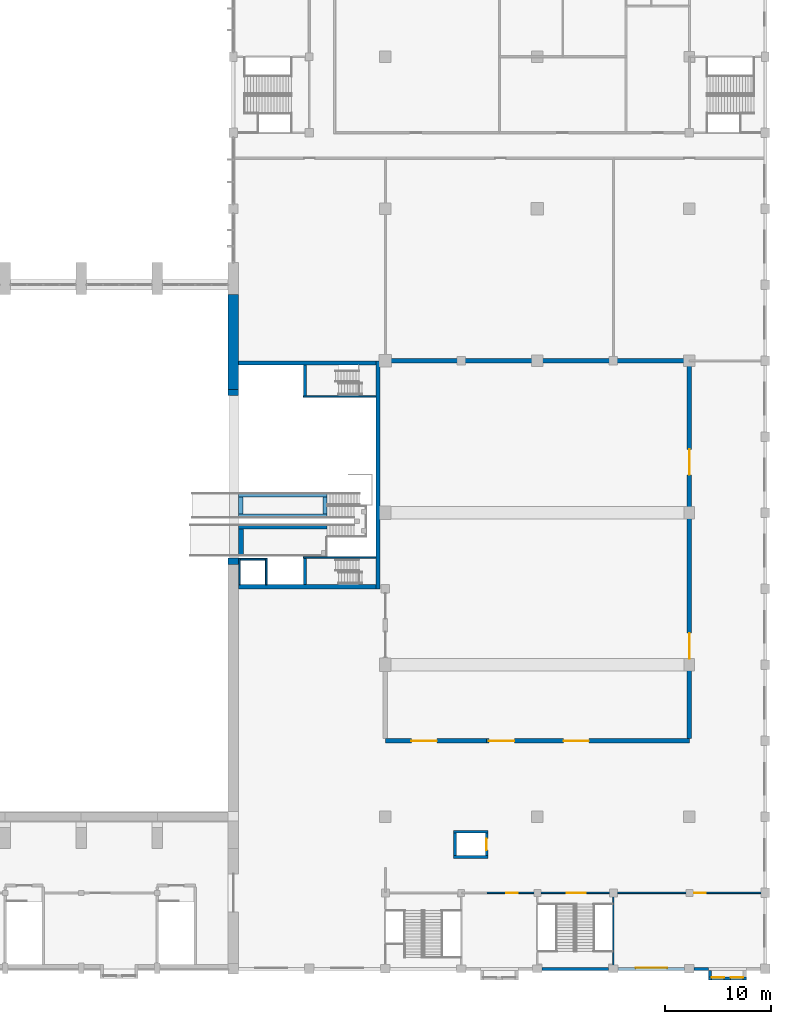
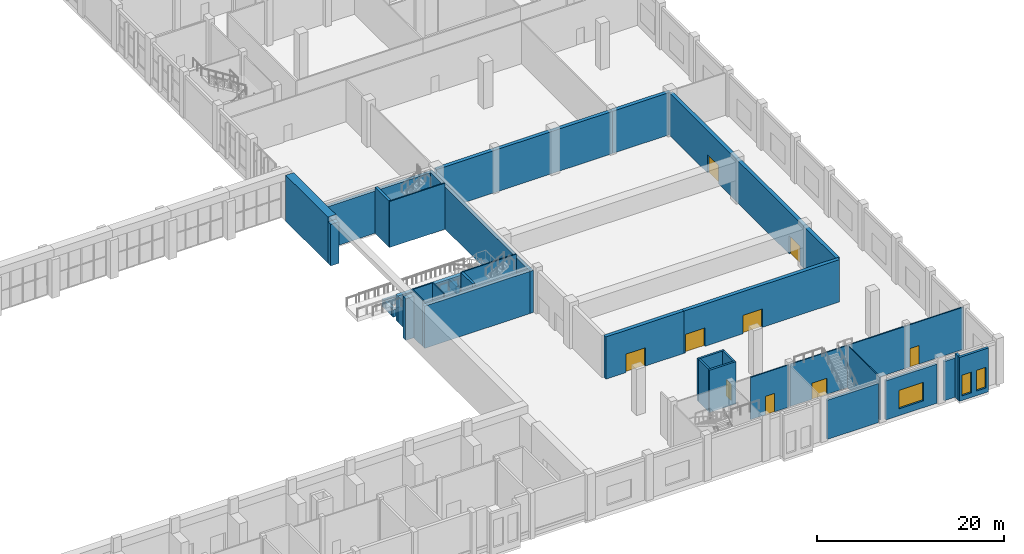
# One storey, part 33 of 44: 37 walls, 9 doors, 3 windows, 12 openings.
"""IFC4 building model written with IfcOpenShell, lengths in metres."""

from ifc_helpers import new_model, si_unit, direction, frame, frame_2d, origin, place, context, subcontext, project, spatial, rectangle, extrude, material, layer, layer_set, type_object, element, fill, save


model = new_model("IFC4")

# Units and contexts
model_context = context("Model", 3, precision=1e-05, world=origin(), true_north=direction((0.0, 1.0)))
body_context = subcontext(model_context, "Body", "Model", "MODEL_VIEW")
ifc_project = project(units=[si_unit("LENGTHUNIT", "METRE"), si_unit("AREAUNIT", "SQUARE_METRE"), si_unit("VOLUMEUNIT", "CUBIC_METRE"), si_unit("PLANEANGLEUNIT", "RADIAN"), si_unit("MASSUNIT", "GRAM", prefix="KILO")], contexts=[model_context])

# Site, building, storey
site_placement = place(None, origin())
site = spatial("IfcSite", under=ifc_project, at=site_placement, CompositionType="ELEMENT")
building_placement = place(site_placement, origin())
building = spatial("IfcBuilding", under=site, at=building_placement, Name="Vermilion Court Aquatics Centre", CompositionType="ELEMENT")
storey_placement = place(building_placement, frame((0.0, 0.0, 6.0)))
storey = spatial("IfcBuildingStorey", under=building, at=storey_placement, Name="L01", CompositionType="ELEMENT", Elevation=6.0)

# Walls
ifc_material_1 = material(Name="Concrete 5000 psi", Category="concrete")
ifc_layer_1 = layer(ifc_material_1, 0.14990234375)
ifc_layer_set_1 = layer_set([ifc_layer_1], Name="Diving Tower lift shaft wall 150")
wall_type_1 = type_object("IfcWallType", Name="Diving Tower lift shaft wall 150", PredefinedType="PARTITIONING", material=ifc_layer_set_1)
for number, where, z_axis, x_axis, name in (
    (1, (144.574951171875, 36.39990234375, 0.0), (0.0, 0.0, 1.0), (0.0, 1.0, 0.0), "Diving Tower lift shaft wall west L01"),
    (2, (147.125, 36.39990234375, 0.0), (0.0, 0.0, 1.0), (0.0, 1.0, 0.0), "Diving Tower lift shaft wall front L01"),
):
    element("IfcWall", number, at=place(storey_placement, frame(where, z_axis=z_axis, x_axis=x_axis)), inside=storey, type_object=wall_type_1, Name=name, PredefinedType="PARTITIONING", context=body_context, shape_type="SweptSolid", body=[
        extrude(rectangle(XDim=2.47509765625, YDim=0.14990234375, at=frame_2d((1.237548828125, 0.0))), origin(), (0.0, 0.0, 1.0), 6.0),
    ])
wall_1_placement = place(storey_placement, frame((144.64990234375, 38.800048828125, 0.0), z_axis=(0.0, 0.0, 1.0), x_axis=(1.0, 0.0, 0.0)))
element("IfcWall", 3, at=wall_1_placement, inside=storey, type_object=wall_type_1, Name="Diving Tower lift shaft wall north L01", PredefinedType="PARTITIONING", context=body_context, shape_type="SweptSolid", body=[
    extrude(rectangle(XDim=2.550048828125, YDim=0.14990234375, at=frame_2d((1.27490234375, 0.0))), origin(), (0.0, 0.0, 1.0), 6.0),
])
ifc_material_2 = material(Name="Concrete 8000 psi", Category="concrete")
ifc_layer_2 = layer(ifc_material_2, 0.39990234375)
ifc_layer_set_2 = layer_set([ifc_layer_2], Name="Diving Tower shell wall 400")
wall_type_2 = type_object("IfcWallType", Name="Diving Tower shell wall 400", PredefinedType="SHEAR", material=ifc_layer_set_2)
wall_2_placement = place(storey_placement, frame((157.699951171875, 36.0, 0.0), z_axis=(0.0, 0.0, 1.0), x_axis=(0.0, 1.0, 0.0)))
element("IfcWall", 4, at=wall_2_placement, inside=storey, type_object=wall_type_2, Name="Diving Tower shell wall east L01", PredefinedType="SHEAR", context=body_context, shape_type="SweptSolid", body=[
    extrude(rectangle(XDim=21.60009765625, YDim=0.39990234375, at=frame_2d((10.800048828125, 0.0))), origin(), (0.0, 0.0, 1.0), 5.5),
])
for number, where, z_axis, x_axis, name in (
    (5, (144.5, 36.199951171875, 0.0), (0.0, 0.0, 1.0), (1.0, 0.0, 0.0), "Diving Tower shell wall south L01"),
    (6, (144.5, 57.39990234375, 0.0), (0.0, 0.0, 1.0), (1.0, 0.0, 0.0), "Diving Tower shell wall north L01"),
):
    element("IfcWall", number, at=place(storey_placement, frame(where, z_axis=z_axis, x_axis=x_axis)), inside=storey, type_object=wall_type_2, Name=name, PredefinedType="SHEAR", context=body_context, shape_type="SweptSolid", body=[
        extrude(rectangle(XDim=13.0, YDim=0.39990234375, at=frame_2d((6.5, 0.0))), origin(), (0.0, 0.0, 1.0), 5.5),
    ])
ifc_material_3 = material(Name="Concrete 5000 psi", Category="concrete")
ifc_layer_3 = layer(ifc_material_3, 0.14990234375)
ifc_layer_set_3 = layer_set([ifc_layer_3], Name="Diving Tower stair lane wall 150")
wall_type_3 = type_object("IfcWallType", Name="Diving Tower stair lane wall 150", PredefinedType="SHEAR", material=ifc_layer_set_3)
for number, where, z_axis, x_axis, name in (
    (7, (150.64990234375, 38.949951171875, 0.0), (0.0, 0.0, 1.0), (1.0, 0.0, 0.0), "Diving Tower stair 1 lane wall L01"),
    (8, (150.64990234375, 54.199951171875, 0.0), (0.0, 0.0, 1.0), (1.0, 0.0, 0.0), "Diving Tower stair 2 lane wall L01"),
):
    element("IfcWall", number, at=place(storey_placement, frame(where, z_axis=z_axis, x_axis=x_axis)), inside=storey, type_object=wall_type_3, Name=name, PredefinedType="SHEAR", context=body_context, shape_type="SweptSolid", body=[
        extrude(rectangle(XDim=6.85009765625, YDim=0.14990234375, at=frame_2d((3.425048828125, 0.0))), origin(), (0.0, 0.0, 1.0), 6.0),
    ])
ifc_material_4 = material(Name="Concrete 8000 psi", Category="concrete")
ifc_layer_4 = layer(ifc_material_4, 0.300048828125)
ifc_layer_set_4 = layer_set([ifc_layer_4], Name="Diving Tower stair wall 300")
wall_type_4 = type_object("IfcWallType", Name="Diving Tower stair wall 300", PredefinedType="SHEAR", material=ifc_layer_set_4)
wall_3_placement = place(storey_placement, frame((150.800048828125, 36.39990234375, 0.0), z_axis=(0.0, 0.0, 1.0), x_axis=(0.0, 1.0, 0.0)))
element("IfcWall", 9, at=wall_3_placement, inside=storey, type_object=wall_type_4, Name="Diving Tower stair 1 west wall L01", PredefinedType="SHEAR", context=body_context, shape_type="SweptSolid", body=[
    extrude(rectangle(XDim=2.47509765625, YDim=0.300048828125, at=frame_2d((1.237548828125, 0.0))), origin(), (0.0, 0.0, 1.0), 6.0),
])
wall_4_placement = place(storey_placement, frame((150.800048828125, 54.27490234375, 0.0), z_axis=(0.0, 0.0, 1.0), x_axis=(0.0, 1.0, 0.0)))
element("IfcWall", 10, at=wall_4_placement, inside=storey, type_object=wall_type_4, Name="Diving Tower stair 2 west wall L01", PredefinedType="SHEAR", context=body_context, shape_type="SweptSolid", body=[
    extrude(rectangle(XDim=2.925048828125, YDim=0.300048828125, at=frame_2d((1.46240234375, 0.0))), origin(), (0.0, 0.0, 1.0), 6.0),
])
ifc_material_5 = material(Name="Concrete 5000 psi", Category="concrete")
ifc_layer_5 = layer(ifc_material_5, 1.0)
ifc_layer_set_5 = layer_set([ifc_layer_5], Name="Envelope east gable separation wall 1000")
wall_type_5 = type_object("IfcWallType", Name="Envelope east gable separation wall 1000", PredefinedType="SOLIDWALL", material=ifc_layer_set_5)
for number, where, z_axis, x_axis, name in (
    (11, (144.0, 38.300048828125, 0.0), (0.0, 0.0, 1.0), (0.0, 1.0, 0.0), "Gable wall east L01 south reveal"),
    (12, (144.0, 54.300048828125, 0.0), (0.0, 0.0, 1.0), (0.0, 1.0, 0.0), "Gable wall east L01 north reveal"),
):
    element("IfcWall", number, at=place(storey_placement, frame(where, z_axis=z_axis, x_axis=x_axis)), inside=storey, type_object=wall_type_5, Name=name, PredefinedType="SOLIDWALL", context=body_context, shape_type="SweptSolid", body=[
        extrude(rectangle(XDim=0.599853515625, YDim=1.0, at=frame_2d((0.2998046875, 0.0))), origin(), (0.0, 0.0, 1.0), 5.39990234375),
    ])
wall_5_placement = place(storey_placement, frame((144.0, 54.89990234375, 0.0), z_axis=(0.0, 0.0, 1.0), x_axis=(0.0, 1.0, 0.0)))
element("IfcWall", 13, at=wall_5_placement, inside=storey, type_object=wall_type_5, Name="Gable wall east L01 north jamb", PredefinedType="SOLIDWALL", context=body_context, shape_type="SweptSolid", body=[
    extrude(rectangle(XDim=9.0, YDim=1.0, at=frame_2d((4.5, 0.0))), origin(), (0.0, 0.0, 1.0), 6.0),
])
ifc_material_6 = material(Name="Concrete 5000 psi", Category="concrete")
ifc_layer_6 = layer(ifc_material_6, 0.39990234375)
ifc_layer_set_6 = layer_set([ifc_layer_6], Name="Hall diving tower wall 400")
wall_type_6 = type_object("IfcWallType", Name="Hall diving tower wall 400", PredefinedType="SOLIDWALL", material=ifc_layer_set_6)
for number, where, z_axis, x_axis, name in (
    (14, (144.5, 42.89990234375, 0.0), (0.0, 0.0, 1.0), (1.0, 0.0, 0.0), "Platform support wall 7.5 m"),
    (15, (144.5, 44.89990234375, 0.0), (0.0, 0.0, 1.0), (1.0, 0.0, 0.0), "Platform support wall 7.5 m"),
):
    element("IfcWall", number, at=place(storey_placement, frame(where, z_axis=z_axis, x_axis=x_axis)), inside=storey, type_object=wall_type_6, Name=name, PredefinedType="SOLIDWALL", context=body_context, shape_type="SweptSolid", body=[
        extrude(rectangle(XDim=8.39990234375, YDim=0.39990234375, at=frame_2d((4.199951171875, 0.0))), origin(), (0.0, 0.0, 1.0), 0.949951171875),
    ])
for number, where, z_axis, x_axis, name in (
    (16, (144.699951171875, 43.10009765625, 0.0), (0.0, 0.0, 1.0), (0.0, 1.0, 0.0), "Platform support wall 7.5 m"),
    (17, (152.699951171875, 43.10009765625, 0.0), (0.0, 0.0, 1.0), (0.0, 1.0, 0.0), "Platform support wall 7.5 m"),
):
    element("IfcWall", number, at=place(storey_placement, frame(where, z_axis=z_axis, x_axis=x_axis)), inside=storey, type_object=wall_type_6, Name=name, PredefinedType="SOLIDWALL", context=body_context, shape_type="SweptSolid", body=[
        extrude(rectangle(XDim=1.599853515625, YDim=0.39990234375, at=frame_2d((0.7998046875, 0.0))), origin(), (0.0, 0.0, 1.0), 0.949951171875),
    ])
ifc_material_7 = material(Name="Concrete 5000 psi", Category="concrete")
ifc_layer_7 = layer(ifc_material_7, 0.449951171875)
ifc_layer_set_7 = layer_set([ifc_layer_7], Name="Hall diving tower wall 450")
wall_type_7 = type_object("IfcWallType", Name="Hall diving tower wall 450", PredefinedType="SOLIDWALL", material=ifc_layer_set_7)
wall_6_placement = place(storey_placement, frame((144.5, 41.875, 0.0), z_axis=(0.0, 0.0, 1.0), x_axis=(1.0, 0.0, 0.0)))
element("IfcWall", 18, at=wall_6_placement, inside=storey, type_object=wall_type_7, Name="Platform support wall 10 m", PredefinedType="SOLIDWALL", context=body_context, shape_type="SweptSolid", body=[
    extrude(rectangle(XDim=8.39990234375, YDim=0.449951171875, at=frame_2d((4.199951171875, 0.0))), origin(), (0.0, 0.0, 1.0), 3.39990234375),
])
wall_7_placement = place(storey_placement, frame((144.72509765625, 39.10009765625, 0.0), z_axis=(0.0, 0.0, 1.0), x_axis=(0.0, 1.0, 0.0)))
element("IfcWall", 19, at=wall_7_placement, inside=storey, type_object=wall_type_7, Name="Platform support wall 10 m", PredefinedType="SOLIDWALL", context=body_context, shape_type="SweptSolid", body=[
    extrude(rectangle(XDim=2.5498046875, YDim=0.449951171875, at=frame_2d((1.27490234375, 0.0))), origin(), (0.0, 0.0, 1.0), 3.39990234375),
])
ifc_material_8 = material(Name="Brick masonry", Category="masonry")
ifc_layer_8 = layer(ifc_material_8, 0.300048828125)
ifc_layer_set_8 = layer_set([ifc_layer_8], Name="Podium facade brick wall 300")
wall_type_8 = type_object("IfcWallType", Name="Podium facade brick wall 300", PredefinedType="SOLIDWALL", material=ifc_layer_set_8)
wall_8_placement = place(storey_placement, frame((173.25, 0.0, 0.0), z_axis=(0.0, 0.0, 1.0), x_axis=(1.0, 0.0, 0.0)))
element("IfcWall", 20, at=wall_8_placement, inside=storey, type_object=wall_type_8, Name="Facade wall L01", PredefinedType="SOLIDWALL", context=body_context, shape_type="SweptSolid", body=[
    extrude(rectangle(XDim=6.300048828125, YDim=0.300048828125, at=frame_2d((3.14990234375, 0.0))), origin(), (0.0, 0.0, 1.0), 5.10009765625),
])

# Wall, opening, window
wall_9_placement = place(storey_placement, frame((180.449951171875, 0.0, 0.0), z_axis=(0.0, 0.0, 1.0), x_axis=(1.0, 0.0, 0.0)))
wall_9 = element("IfcWall", 21, at=wall_9_placement, inside=storey, type_object=wall_type_8, Name="Facade wall L01", PredefinedType="SOLIDWALL", context=body_context, shape_type="SweptSolid", body=[
    extrude(rectangle(XDim=6.300048828125, YDim=0.300048828125, at=frame_2d((3.14990234375, 0.0))), origin(), (0.0, 0.0, 1.0), 5.10009765625),
])
opening_1_placement = place(wall_9_placement, frame((1.64990234375, 0.0, 0.89990234375)))
opening_1 = element("IfcOpeningElement", 22, at=opening_1_placement, cuts=wall_9, Name="Opening PN1", PredefinedType="OPENING", context=body_context, shape_type="SweptSolid", body=[
    extrude(rectangle(XDim=3.0, YDim=2.39990234375, at=frame_2d((1.5, 1.199951171875))), frame((0.0, 0.159912109375, 0.0), z_axis=(0.0, -1.0, 0.0), x_axis=(1.0, 0.0, 0.0)), (0.0, 0.0, 1.0), 0.320068359375),
])
ifc_material_9 = material(Name="Aluminium 6063-T5", Category="aluminium")
window_type_1 = type_object("IfcWindowType", Name="Podium window 3000x2400", PartitioningType="DOUBLE_PANEL_VERTICAL", PredefinedType="WINDOW", material=ifc_material_9)
window_1_placement = place(opening_1_placement, origin())
window_1 = element("IfcWindow", 23, at=window_1_placement, inside=storey, type_object=window_type_1, Name="Window L01", OverallHeight=2.39990234375, OverallWidth=3.0, PartitioningType="DOUBLE_PANEL_VERTICAL", PredefinedType="WINDOW", context=body_context, shape_type="SweptSolid", body=[
    extrude(rectangle(XDim=3.0, YDim=2.39990234375, at=frame_2d((1.5, 1.199951171875))), frame((0.0, 0.1201171875, 0.0), z_axis=(0.0, -1.0, 0.0), x_axis=(1.0, 0.0, 0.0)), (0.0, 0.0, 1.0), 0.06005859375),
])
fill(opening_1, window_1)

# Wall
wall_10_placement = place(storey_placement, frame((187.64990234375, 0.0, 0.0), z_axis=(0.0, 0.0, 1.0), x_axis=(1.0, 0.0, 0.0)))
element("IfcWall", 24, at=wall_10_placement, inside=storey, type_object=wall_type_8, Name="Facade wall L01", PredefinedType="SOLIDWALL", context=body_context, shape_type="SweptSolid", body=[
    extrude(rectangle(XDim=1.35009765625, YDim=0.300048828125, at=frame_2d((0.675048828125, 0.0))), origin(), (0.0, 0.0, 1.0), 5.10009765625),
])

# Wall, opening, door
ifc_material_10 = material(Name="Concrete masonry ASTM C90 Type I", Category="masonry")
ifc_layer_9 = layer(ifc_material_10, 0.449951171875)
ifc_layer_set_9 = layer_set([ifc_layer_9], Name="Podium fitness hall acoustic wall 450, 1 hr")
wall_type_9 = type_object("IfcWallType", Name="Podium fitness hall acoustic wall 450, 1 hr", PredefinedType="PARTITIONING", material=ifc_layer_set_9)
wall_11_placement = place(storey_placement, frame((158.39990234375, 21.60009765625, 0.0), z_axis=(0.0, 0.0, 1.0), x_axis=(1.0, 0.0, 0.0)))
wall_11 = element("IfcWall", 25, at=wall_11_placement, inside=storey, type_object=wall_type_9, Name="Fitness hall acoustic wall", PredefinedType="PARTITIONING", context=body_context, shape_type="SweptSolid", body=[
    extrude(rectangle(XDim=9.60009765625, YDim=0.449951171875, at=frame_2d((4.800048828125, 0.0))), origin(), (0.0, 0.0, 1.0), 5.5),
])
opening_2_placement = place(wall_11_placement, frame((2.4765625, 0.0, 0.0)))
opening_2 = element("IfcOpeningElement", 26, at=opening_2_placement, cuts=wall_11, Name="Opening P01-006", PredefinedType="OPENING", context=body_context, shape_type="SweptSolid", body=[
    extrude(rectangle(XDim=2.39990234375, YDim=2.39990234375, at=frame_2d((1.199951171875, 1.199951171875))), frame((0.0, 0.23486328125, 0.0), z_axis=(0.0, -1.0, 0.0), x_axis=(1.0, 0.0, 0.0)), (0.0, 0.0, 1.0), 0.469970703125),
])
ifc_material_11 = material(Name="Hollow metal")
door_type_1 = type_object("IfcDoorType", Name="Podium fire door fitness hall pair 2400x2400, 60 min", OperationType="DOUBLE_DOOR_SINGLE_SWING", PredefinedType="DOOR", material=ifc_material_11)
door_1_placement = place(opening_2_placement, frame((2.39990234375, 0.0, 0.0), z_axis=(0.0, 0.0, 1.0), x_axis=(-1.0, 0.0, 0.0)))
door_1 = element("IfcDoor", 27, at=door_1_placement, inside=storey, type_object=door_type_1, Name="Door", OperationType="DOUBLE_DOOR_SINGLE_SWING", OverallHeight=2.39990234375, OverallWidth=2.39990234375, PredefinedType="DOOR", context=body_context, shape_type="SweptSolid", body=[
    extrude(rectangle(XDim=2.39990234375, YDim=2.39990234375, at=frame_2d((1.199951171875, 1.199951171875))), frame((0.0, 0.025146484375, 0.0), z_axis=(0.0, -1.0, 0.0), x_axis=(1.0, 0.0, 0.0)), (0.0, 0.0, 1.0), 0.050048828125),
])
fill(opening_2, door_1)

# Wall, openings, doors
wall_12_placement = place(storey_placement, frame((168.0, 21.60009765625, 0.0), z_axis=(0.0, 0.0, 1.0), x_axis=(1.0, 0.0, 0.0)))
wall_12 = element("IfcWall", 28, at=wall_12_placement, inside=storey, type_object=wall_type_9, Name="Fitness hall acoustic wall", PredefinedType="PARTITIONING", context=body_context, shape_type="SweptSolid", body=[
    extrude(rectangle(XDim=19.199951171875, YDim=0.449951171875, at=frame_2d((9.60009765625, 0.0))), origin(), (0.0, 0.0, 1.0), 5.5),
])
opening_3_placement = place(wall_12_placement, frame((7.288330078125, 0.0, 0.0)))
opening_3 = element("IfcOpeningElement", 29, at=opening_3_placement, cuts=wall_12, Name="Opening P01-007", PredefinedType="OPENING", context=body_context, shape_type="SweptSolid", body=[
    extrude(rectangle(XDim=2.39990234375, YDim=2.39990234375, at=frame_2d((1.199951171875, 1.199951171875))), frame((0.0, 0.23486328125, 0.0), z_axis=(0.0, -1.0, 0.0), x_axis=(1.0, 0.0, 0.0)), (0.0, 0.0, 1.0), 0.469970703125),
])
opening_4_placement = place(wall_12_placement, frame((0.214599609375, 0.0, 0.0)))
opening_4 = element("IfcOpeningElement", 30, at=opening_4_placement, cuts=wall_12, Name="Opening P01-008", PredefinedType="OPENING", context=body_context, shape_type="SweptSolid", body=[
    extrude(rectangle(XDim=2.39990234375, YDim=2.39990234375, at=frame_2d((1.199951171875, 1.199951171875))), frame((0.0, 0.23486328125, 0.0), z_axis=(0.0, -1.0, 0.0), x_axis=(1.0, 0.0, 0.0)), (0.0, 0.0, 1.0), 0.469970703125),
])
door_2_placement = place(opening_3_placement, origin())
door_2 = element("IfcDoor", 31, at=door_2_placement, inside=storey, type_object=door_type_1, Name="Door", OperationType="DOUBLE_DOOR_SINGLE_SWING", OverallHeight=2.39990234375, OverallWidth=2.39990234375, PredefinedType="DOOR", context=body_context, shape_type="SweptSolid", body=[
    extrude(rectangle(XDim=2.39990234375, YDim=2.39990234375, at=frame_2d((1.199951171875, 1.199951171875))), frame((0.0, 0.02490234375, 0.0), z_axis=(0.0, -1.0, 0.0), x_axis=(1.0, 0.0, 0.0)), (0.0, 0.0, 1.0), 0.050048828125),
])
fill(opening_3, door_2)
door_3_placement = place(opening_4_placement, origin())
door_3 = element("IfcDoor", 32, at=door_3_placement, inside=storey, type_object=door_type_1, Name="Door", OperationType="DOUBLE_DOOR_SINGLE_SWING", OverallHeight=2.39990234375, OverallWidth=2.39990234375, PredefinedType="DOOR", context=body_context, shape_type="SweptSolid", body=[
    extrude(rectangle(XDim=2.39990234375, YDim=2.39990234375, at=frame_2d((1.199951171875, 1.199951171875))), frame((0.0, 0.02490234375, 0.0), z_axis=(0.0, -1.0, 0.0), x_axis=(1.0, 0.0, 0.0)), (0.0, 0.0, 1.0), 0.050048828125),
])
fill(opening_4, door_3)

wall_13_placement = place(storey_placement, frame((187.199951171875, 21.824951171875, 0.0), z_axis=(0.0, 0.0, 1.0), x_axis=(0.0, 1.0, 0.0)))
wall_13 = element("IfcWall", 33, at=wall_13_placement, inside=storey, type_object=wall_type_9, Name="Fitness hall acoustic wall", PredefinedType="PARTITIONING", context=body_context, shape_type="SweptSolid", body=[
    extrude(rectangle(XDim=35.550048828125, YDim=0.449951171875, at=frame_2d((17.77490234375, 0.0))), origin(), (0.0, 0.0, 1.0), 5.5),
])
opening_5_placement = place(wall_13_placement, frame((7.574951171875, 0.0, 0.0)))
opening_5 = element("IfcOpeningElement", 34, at=opening_5_placement, cuts=wall_13, Name="Opening P01-011", PredefinedType="OPENING", context=body_context, shape_type="SweptSolid", body=[
    extrude(rectangle(XDim=2.39990234375, YDim=2.39990234375, at=frame_2d((1.199951171875, 1.199951171875))), frame((0.0, 0.23486328125, 0.0), z_axis=(0.0, -1.0, 0.0), x_axis=(1.0, 0.0, 0.0)), (0.0, 0.0, 1.0), 0.469970703125),
])
opening_6_placement = place(wall_13_placement, frame((24.97509765625, 0.0, 0.0)))
opening_6 = element("IfcOpeningElement", 35, at=opening_6_placement, cuts=wall_13, Name="Opening P01-012", PredefinedType="OPENING", context=body_context, shape_type="SweptSolid", body=[
    extrude(rectangle(XDim=2.39990234375, YDim=2.39990234375, at=frame_2d((1.199951171875, 1.199951171875))), frame((0.0, 0.23486328125, 0.0), z_axis=(0.0, -1.0, 0.0), x_axis=(1.0, 0.0, 0.0)), (0.0, 0.0, 1.0), 0.469970703125),
])
door_4_placement = place(opening_5_placement, frame((2.39990234375, 0.0, 0.0), z_axis=(0.0, 0.0, 1.0), x_axis=(-1.0, 0.0, 0.0)))
door_4 = element("IfcDoor", 36, at=door_4_placement, inside=storey, type_object=door_type_1, Name="Door", OperationType="DOUBLE_DOOR_SINGLE_SWING", OverallHeight=2.39990234375, OverallWidth=2.39990234375, PredefinedType="DOOR", context=body_context, shape_type="SweptSolid", body=[
    extrude(rectangle(XDim=2.39990234375, YDim=2.39990234375, at=frame_2d((1.199951171875, 1.199951171875))), frame((0.0, 0.025146484375, 0.0), z_axis=(0.0, -1.0, 0.0), x_axis=(1.0, 0.0, 0.0)), (0.0, 0.0, 1.0), 0.050048828125),
])
fill(opening_5, door_4)
door_5_placement = place(opening_6_placement, frame((2.39990234375, 0.0, 0.0), z_axis=(0.0, 0.0, 1.0), x_axis=(-1.0, 0.0, 0.0)))
door_5 = element("IfcDoor", 37, at=door_5_placement, inside=storey, type_object=door_type_1, Name="Door", OperationType="DOUBLE_DOOR_SINGLE_SWING", OverallHeight=2.39990234375, OverallWidth=2.39990234375, PredefinedType="DOOR", context=body_context, shape_type="SweptSolid", body=[
    extrude(rectangle(XDim=2.39990234375, YDim=2.39990234375, at=frame_2d((1.199951171875, 1.199951171875))), frame((0.0, 0.025146484375, 0.0), z_axis=(0.0, -1.0, 0.0), x_axis=(1.0, 0.0, 0.0)), (0.0, 0.0, 1.0), 0.050048828125),
])
fill(opening_6, door_5)

# Walls
wall_14_placement = place(storey_placement, frame((158.324951171875, 57.60009765625, 0.0), z_axis=(0.0, 0.0, 1.0), x_axis=(1.0, 0.0, 0.0)))
element("IfcWall", 38, at=wall_14_placement, inside=storey, type_object=wall_type_9, Name="Fitness hall acoustic wall", PredefinedType="PARTITIONING", context=body_context, shape_type="SweptSolid", body=[
    extrude(rectangle(XDim=21.675048828125, YDim=0.449951171875, at=frame_2d((10.83740234375, 0.0))), origin(), (0.0, 0.0, 1.0), 5.5),
])
wall_15_placement = place(storey_placement, frame((180.0, 57.60009765625, 0.0), z_axis=(0.0, 0.0, 1.0), x_axis=(1.0, 0.0, 0.0)))
element("IfcWall", 39, at=wall_15_placement, inside=storey, type_object=wall_type_9, Name="Fitness hall acoustic wall", PredefinedType="PARTITIONING", context=body_context, shape_type="SweptSolid", body=[
    extrude(rectangle(XDim=7.199951171875, YDim=0.449951171875, at=frame_2d((3.60009765625, 0.0))), origin(), (0.0, 0.0, 1.0), 5.5),
])
ifc_material_12 = material(Name="Concrete 5000 psi", Category="concrete")
ifc_layer_10 = layer(ifc_material_12, 0.25)
ifc_layer_set_10 = layer_set([ifc_layer_10], Name="Podium lift shaft wall 250, 2 hr")
wall_type_10 = type_object("IfcWallType", Name="Podium lift shaft wall 250, 2 hr", PredefinedType="SOLIDWALL", material=ifc_layer_set_10)
wall_16_placement = place(storey_placement, frame((164.875, 13.0, 0.0), z_axis=(0.0, 0.0, 1.0), x_axis=(1.0, 0.0, 0.0)))
element("IfcWall", 40, at=wall_16_placement, inside=storey, type_object=wall_type_10, Name="Lift shaft wall", PredefinedType="SOLIDWALL", context=body_context, shape_type="SweptSolid", body=[
    extrude(rectangle(XDim=3.25, YDim=0.25, at=frame_2d((1.625, 0.0))), origin(), (0.0, 0.0, 1.0), 5.5),
])
wall_17_placement = place(storey_placement, frame((165.0, 10.72509765625, 0.0), z_axis=(0.0, 0.0, 1.0), x_axis=(0.0, 1.0, 0.0)))
element("IfcWall", 41, at=wall_17_placement, inside=storey, type_object=wall_type_10, Name="Lift shaft wall", PredefinedType="SOLIDWALL", context=body_context, shape_type="SweptSolid", body=[
    extrude(rectangle(XDim=2.14990234375, YDim=0.25, at=frame_2d((1.074951171875, 0.0))), origin(), (0.0, 0.0, 1.0), 5.5),
])
wall_18_placement = place(storey_placement, frame((164.875, 10.60009765625, 0.0), z_axis=(0.0, 0.0, 1.0), x_axis=(1.0, 0.0, 0.0)))
element("IfcWall", 42, at=wall_18_placement, inside=storey, type_object=wall_type_10, Name="Lift shaft wall", PredefinedType="SOLIDWALL", context=body_context, shape_type="SweptSolid", body=[
    extrude(rectangle(XDim=3.25, YDim=0.25, at=frame_2d((1.625, 0.0))), origin(), (0.0, 0.0, 1.0), 5.5),
])

# Wall, opening, door
wall_19_placement = place(storey_placement, frame((168.0, 10.72509765625, 0.0), z_axis=(0.0, 0.0, 1.0), x_axis=(0.0, 1.0, 0.0)))
wall_19 = element("IfcWall", 43, at=wall_19_placement, inside=storey, type_object=wall_type_10, Name="Lift shaft wall", PredefinedType="SOLIDWALL", context=body_context, shape_type="SweptSolid", body=[
    extrude(rectangle(XDim=2.14990234375, YDim=0.25, at=frame_2d((1.074951171875, 0.0))), origin(), (0.0, 0.0, 1.0), 5.5),
])
opening_7_placement = place(wall_19_placement, frame((0.52490234375, 0.0, 0.0)))
opening_7 = element("IfcOpeningElement", 44, at=opening_7_placement, cuts=wall_19, Name="Opening LD01-001", PredefinedType="OPENING", context=body_context, shape_type="SweptSolid", body=[
    extrude(rectangle(XDim=1.10009765625, YDim=2.10009765625, at=frame_2d((0.550048828125, 1.050048828125))), frame((0.0, 0.135009765625, 0.0), z_axis=(0.0, -1.0, 0.0), x_axis=(1.0, 0.0, 0.0)), (0.0, 0.0, 1.0), 0.27001953125),
])
ifc_material_13 = material(Name="Hollow metal")
door_type_2 = type_object("IfcDoorType", Name="Podium lift landing door 1100x2100", OperationType="DOUBLE_DOOR_SLIDING", PredefinedType="DOOR", material=ifc_material_13)
door_6_placement = place(opening_7_placement, origin())
door_6 = element("IfcDoor", 45, at=door_6_placement, inside=storey, type_object=door_type_2, Name="Lift landing door", OperationType="DOUBLE_DOOR_SLIDING", OverallHeight=2.10009765625, OverallWidth=1.10009765625, PredefinedType="DOOR", context=body_context, shape_type="SweptSolid", body=[
    extrude(rectangle(XDim=1.10009765625, YDim=2.10009765625, at=frame_2d((0.550048828125, 1.050048828125))), frame((0.0, 0.02490234375, 0.0), z_axis=(0.0, -1.0, 0.0), x_axis=(1.0, 0.0, 0.0)), (0.0, 0.0, 1.0), 0.050048828125),
])
fill(opening_7, door_6)

ifc_material_14 = material(Name="Gypsum board")
ifc_layer_11 = layer(ifc_material_14, 0.14990234375)
ifc_layer_set_11 = layer_set([ifc_layer_11], Name="Podium partition wall 150")
wall_type_11 = type_object("IfcWallType", Name="Podium partition wall 150", PredefinedType="PARTITIONING", material=ifc_layer_set_11)
wall_20_placement = place(storey_placement, frame((168.0, 7.199951171875, 0.0), z_axis=(0.0, 0.0, 1.0), x_axis=(1.0, 0.0, 0.0)))
wall_20 = element("IfcWall", 46, at=wall_20_placement, inside=storey, type_object=wall_type_11, Name="Partition", PredefinedType="PARTITIONING", context=body_context, shape_type="SweptSolid", body=[
    extrude(rectangle(XDim=4.737548828125, YDim=0.14990234375, at=frame_2d((2.36865234375, 0.0))), origin(), (0.0, 0.0, 1.0), 5.5),
])
opening_8_placement = place(wall_20_placement, frame((1.85009765625, 0.0, 0.0)))
opening_8 = element("IfcOpeningElement", 47, at=opening_8_placement, cuts=wall_20, Name="Opening P01-004", PredefinedType="OPENING", context=body_context, shape_type="SweptSolid", body=[
    extrude(rectangle(XDim=1.10009765625, YDim=2.39990234375, at=frame_2d((0.550048828125, 1.199951171875))), frame((0.0, 0.0849609375, 0.0), z_axis=(0.0, -1.0, 0.0), x_axis=(1.0, 0.0, 0.0)), (0.0, 0.0, 1.0), 0.169921875),
])
ifc_material_15 = material(Name="Timber door leaf", Category="wood")
door_type_3 = type_object("IfcDoorType", Name="Podium door community room 1100x2400", OperationType="NOTDEFINED", PredefinedType="DOOR", material=ifc_material_15)
door_7_placement = place(opening_8_placement, frame((1.10009765625, 0.0, 0.0), z_axis=(0.0, 0.0, 1.0), x_axis=(-1.0, 0.0, 0.0)))
door_7 = element("IfcDoor", 48, at=door_7_placement, inside=storey, type_object=door_type_3, Name="Door", OperationType="SINGLE_SWING_RIGHT", OverallHeight=2.39990234375, OverallWidth=1.10009765625, PredefinedType="DOOR", context=body_context, shape_type="SweptSolid", body=[
    extrude(rectangle(XDim=1.10009765625, YDim=2.39990234375, at=frame_2d((0.550048828125, 1.199951171875))), frame((0.0, 0.025146484375, 0.0), z_axis=(0.0, -1.0, 0.0), x_axis=(1.0, 0.0, 0.0)), (0.0, 0.0, 1.0), 0.050048828125),
])
fill(opening_8, door_7)

wall_21_placement = place(storey_placement, frame((180.0625, 7.199951171875, 0.0), z_axis=(0.0, 0.0, 1.0), x_axis=(1.0, 0.0, 0.0)))
wall_21 = element("IfcWall", 49, at=wall_21_placement, inside=storey, type_object=wall_type_11, Name="Partition", PredefinedType="PARTITIONING", context=body_context, shape_type="SweptSolid", body=[
    extrude(rectangle(XDim=14.1875, YDim=0.14990234375, at=frame_2d((7.09375, 0.0))), origin(), (0.0, 0.0, 1.0), 5.5),
])
opening_9_placement = place(wall_21_placement, frame((7.58740234375, 0.0, 0.0)))
opening_9 = element("IfcOpeningElement", 50, at=opening_9_placement, cuts=wall_21, Name="Opening P01-005", PredefinedType="OPENING", context=body_context, shape_type="SweptSolid", body=[
    extrude(rectangle(XDim=1.10009765625, YDim=2.39990234375, at=frame_2d((0.550048828125, 1.199951171875))), frame((0.0, 0.0849609375, 0.0), z_axis=(0.0, -1.0, 0.0), x_axis=(1.0, 0.0, 0.0)), (0.0, 0.0, 1.0), 0.169921875),
])
door_8_placement = place(opening_9_placement, frame((1.10009765625, 0.0, 0.0), z_axis=(0.0, 0.0, 1.0), x_axis=(-1.0, 0.0, 0.0)))
door_8 = element("IfcDoor", 51, at=door_8_placement, inside=storey, type_object=door_type_3, Name="Door", OperationType="SINGLE_SWING_LEFT", OverallHeight=2.39990234375, OverallWidth=1.10009765625, PredefinedType="DOOR", context=body_context, shape_type="SweptSolid", body=[
    extrude(rectangle(XDim=1.10009765625, YDim=2.39990234375, at=frame_2d((0.550048828125, 1.199951171875))), frame((0.0, 0.025146484375, 0.0), z_axis=(0.0, -1.0, 0.0), x_axis=(1.0, 0.0, 0.0)), (0.0, 0.0, 1.0), 0.050048828125),
])
fill(opening_9, door_8)

# Wall, openings, windows
ifc_material_16 = material(Name="Brick masonry", Category="masonry")
ifc_layer_12 = layer(ifc_material_16, 0.300048828125)
ifc_layer_set_12 = layer_set([ifc_layer_12], Name="Podium projecting bay wall 300")
wall_type_12 = type_object("IfcWallType", Name="Podium projecting bay wall 300", PredefinedType="SOLIDWALL", material=ifc_layer_set_12)
wall_22_placement = place(storey_placement, frame((189.0, -0.89990234375, 0.0), z_axis=(0.0, 0.0, 1.0), x_axis=(1.0, 0.0, 0.0)))
wall_22 = element("IfcWall", 52, at=wall_22_placement, inside=storey, type_object=wall_type_12, Name="Projecting bay front wall L01", PredefinedType="SOLIDWALL", context=body_context, shape_type="SweptSolid", body=[
    extrude(rectangle(XDim=3.60009765625, YDim=0.300048828125, at=frame_2d((1.800048828125, 0.0))), origin(), (0.0, 0.0, 1.0), 5.699951171875),
])
opening_10_placement = place(wall_22_placement, frame((0.300048828125, 0.0, 0.60009765625)))
opening_10 = element("IfcOpeningElement", 53, at=opening_10_placement, cuts=wall_22, Name="Opening PN9", PredefinedType="OPENING", context=body_context, shape_type="SweptSolid", body=[
    extrude(rectangle(XDim=1.199951171875, YDim=2.699951171875, at=frame_2d((0.60009765625, 1.35009765625))), frame((0.0, 0.159912109375, 0.0), z_axis=(0.0, -1.0, 0.0), x_axis=(1.0, 0.0, 0.0)), (0.0, 0.0, 1.0), 0.320068359375),
])
opening_11_placement = place(wall_22_placement, frame((2.10009765625, 0.0, 0.60009765625)))
opening_11 = element("IfcOpeningElement", 54, at=opening_11_placement, cuts=wall_22, Name="Opening PN9", PredefinedType="OPENING", context=body_context, shape_type="SweptSolid", body=[
    extrude(rectangle(XDim=1.199951171875, YDim=2.699951171875, at=frame_2d((0.60009765625, 1.35009765625))), frame((0.0, 0.159912109375, 0.0), z_axis=(0.0, -1.0, 0.0), x_axis=(1.0, 0.0, 0.0)), (0.0, 0.0, 1.0), 0.320068359375),
])
ifc_material_17 = material(Name="Aluminium 6063-T5", Category="aluminium")
window_type_2 = type_object("IfcWindowType", Name="Podium window 1200x2700", PartitioningType="SINGLE_PANEL", PredefinedType="WINDOW", material=ifc_material_17)
window_2_placement = place(opening_10_placement, origin())
window_2 = element("IfcWindow", 55, at=window_2_placement, inside=storey, type_object=window_type_2, Name="Bay window L01", OverallHeight=2.699951171875, OverallWidth=1.199951171875, PartitioningType="SINGLE_PANEL", PredefinedType="WINDOW", context=body_context, shape_type="SweptSolid", body=[
    extrude(rectangle(XDim=1.199951171875, YDim=2.699951171875, at=frame_2d((0.60009765625, 1.35009765625))), frame((0.0, 0.1201171875, 0.0), z_axis=(0.0, -1.0, 0.0), x_axis=(1.0, 0.0, 0.0)), (0.0, 0.0, 1.0), 0.06005859375),
])
fill(opening_10, window_2)
window_3_placement = place(opening_11_placement, origin())
window_3 = element("IfcWindow", 56, at=window_3_placement, inside=storey, type_object=window_type_2, Name="Bay window L01", OverallHeight=2.699951171875, OverallWidth=1.199951171875, PartitioningType="SINGLE_PANEL", PredefinedType="WINDOW", context=body_context, shape_type="SweptSolid", body=[
    extrude(rectangle(XDim=1.199951171875, YDim=2.699951171875, at=frame_2d((0.60009765625, 1.35009765625))), frame((0.0, 0.1201171875, 0.0), z_axis=(0.0, -1.0, 0.0), x_axis=(1.0, 0.0, 0.0)), (0.0, 0.0, 1.0), 0.06005859375),
])
fill(opening_11, window_3)

# Wall
wall_23_placement = place(storey_placement, frame((189.14990234375, -0.75, 0.0), z_axis=(0.0, 0.0, 1.0), x_axis=(0.0, 1.0, 0.0)))
element("IfcWall", 57, at=wall_23_placement, inside=storey, type_object=wall_type_12, Name="Projecting bay side wall L01", PredefinedType="SOLIDWALL", context=body_context, shape_type="SweptSolid", body=[
    extrude(rectangle(XDim=0.60009765625, YDim=0.300048828125, at=frame_2d((0.300048828125, 0.0))), origin(), (0.0, 0.0, 1.0), 5.699951171875),
])

# Wall, opening, door
ifc_material_18 = material(Name="Concrete 5000 psi", Category="concrete")
ifc_layer_13 = layer(ifc_material_18, 0.125)
ifc_layer_set_13 = layer_set([ifc_layer_13], Name="Podium stair enclosure wall 125, 2 hr")
wall_type_13 = type_object("IfcWallType", Name="Podium stair enclosure wall 125, 2 hr", PredefinedType="SOLIDWALL", material=ifc_layer_set_13)
wall_24_placement = place(storey_placement, frame((172.862548828125, 7.199951171875, 0.0), z_axis=(0.0, 0.0, 1.0), x_axis=(1.0, 0.0, 0.0)))
wall_24 = element("IfcWall", 58, at=wall_24_placement, inside=storey, type_object=wall_type_13, Name="Stair enclosure wall", PredefinedType="SOLIDWALL", context=body_context, shape_type="SweptSolid", body=[
    extrude(rectangle(XDim=7.074951171875, YDim=0.125, at=frame_2d((3.53759765625, 0.0))), origin(), (0.0, 0.0, 1.0), 5.5),
])
opening_12_placement = place(wall_24_placement, frame((2.740478515625, 0.0, 0.0)))
opening_12 = element("IfcOpeningElement", 59, at=opening_12_placement, cuts=wall_24, Name="Opening P01-003", PredefinedType="OPENING", context=body_context, shape_type="SweptSolid", body=[
    extrude(rectangle(XDim=1.800048828125, YDim=2.10009765625, at=frame_2d((0.89990234375, 1.050048828125))), frame((0.0, 0.072509765625, 0.0), z_axis=(0.0, -1.0, 0.0), x_axis=(1.0, 0.0, 0.0)), (0.0, 0.0, 1.0), 0.14501953125),
])
ifc_material_19 = material(Name="Hollow metal")
door_type_4 = type_object("IfcDoorType", Name="Podium fire door stair pair 1800x2100, 90 min", OperationType="DOUBLE_DOOR_SINGLE_SWING", PredefinedType="DOOR", material=ifc_material_19)
door_9_placement = place(opening_12_placement, frame((1.800048828125, 0.0, 0.0), z_axis=(0.0, 0.0, 1.0), x_axis=(-1.0, 0.0, 0.0)))
door_9 = element("IfcDoor", 60, at=door_9_placement, inside=storey, type_object=door_type_4, Name="Door", OperationType="DOUBLE_DOOR_SINGLE_SWING", OverallHeight=2.10009765625, OverallWidth=1.800048828125, PredefinedType="DOOR", context=body_context, shape_type="SweptSolid", body=[
    extrude(rectangle(XDim=1.800048828125, YDim=2.10009765625, at=frame_2d((0.900146484375, 1.050048828125))), frame((0.0, 0.025146484375, 0.0), z_axis=(0.0, -1.0, 0.0), x_axis=(1.0, 0.0, 0.0)), (0.0, 0.0, 1.0), 0.050048828125),
])
fill(opening_12, door_9)

# Wall
wall_25_placement = place(storey_placement, frame((180.0, 0.14990234375, 0.0), z_axis=(0.0, 0.0, 1.0), x_axis=(0.0, 1.0, 0.0)))
element("IfcWall", 61, at=wall_25_placement, inside=storey, type_object=wall_type_13, Name="Stair enclosure wall", PredefinedType="SOLIDWALL", context=body_context, shape_type="SweptSolid", body=[
    extrude(rectangle(XDim=7.112548828125, YDim=0.125, at=frame_2d((3.55615234375, 0.0))), origin(), (0.0, 0.0, 1.0), 5.5),
])

save(model, "model.ifc")
